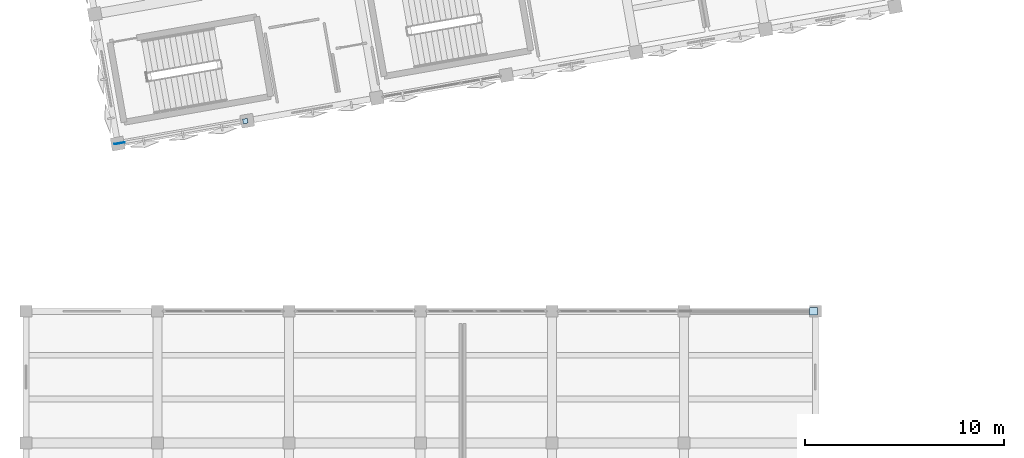
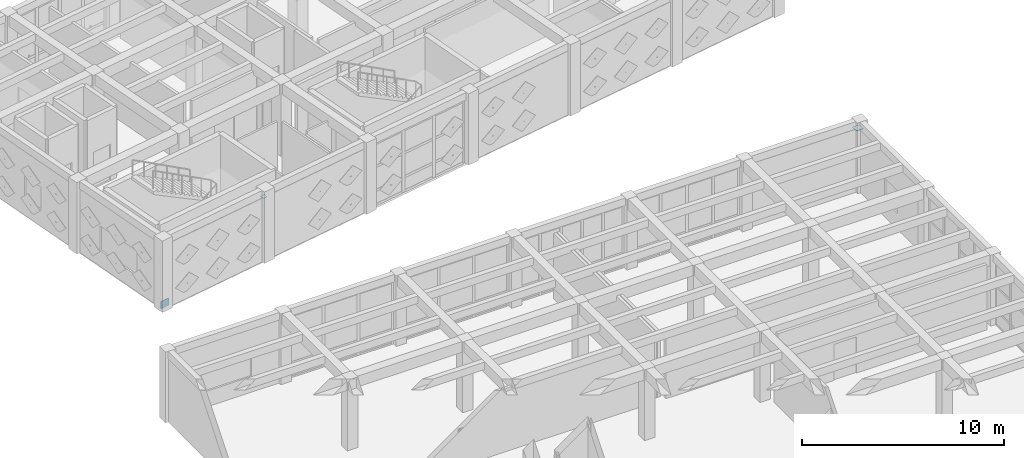
# One storey, part 49 of 67: 3 plates.
"""IFC4 building model written with IfcOpenShell, lengths in metres."""

from ifc_helpers import new_model, si_unit, direction, frame, origin, origin_2d, place, context, subcontext, project, spatial, rectangle, extrude, material, layer, layer_set, type_object, element, save


model = new_model("IFC4")

# Units and contexts
model_context = context("Model", 3, precision=1e-05, world=origin(), true_north=direction((0.0, 1.0)))
body_context = subcontext(model_context, "Body", "Model", "MODEL_VIEW")
ifc_project = project(units=[si_unit("LENGTHUNIT", "METRE"), si_unit("AREAUNIT", "SQUARE_METRE"), si_unit("VOLUMEUNIT", "CUBIC_METRE"), si_unit("PLANEANGLEUNIT", "RADIAN"), si_unit("MASSUNIT", "GRAM", prefix="KILO")], contexts=[model_context])

# Site, building, storey
site_placement = place(None, origin())
site = spatial("IfcSite", under=ifc_project, at=site_placement, CompositionType="ELEMENT")
building_placement = place(site_placement, origin())
building = spatial("IfcBuilding", under=site, at=building_placement, Name="Kharisveld Research Institute", CompositionType="ELEMENT")
storey_placement = place(building_placement, frame((0.0, 0.0, 9.60009765625)))
storey = spatial("IfcBuildingStorey", under=building, at=storey_placement, Name="L02", CompositionType="ELEMENT", Elevation=9.60009765625)

# Plates
ifc_material_1 = material(Name="Steel S355JR", Category="steel")
ifc_layer_1 = layer(ifc_material_1, 0.02587890625)
ifc_layer_set_1 = layer_set([ifc_layer_1], Name="PL_CAP_D")
plate_type_1 = type_object("IfcPlateType", Name="PL_CAP_D", PredefinedType="SHEET", material=ifc_layer_set_1)
plate_1_placement = place(storey_placement, frame((11.601318359375, 36.138671875, 3.757080078125), z_axis=(0.0, 0.0, 1.0), x_axis=(0.984807753012, 0.173648177667, 0.0)))
element("IfcPlate", 1, at=plate_1_placement, inside=storey, type_object=plate_type_1, Name="PLT:V1:L02:CAP_0_0", PredefinedType="SHEET", context=body_context, shape_type="SweptSolid", body=[
    extrude(rectangle(XDim=0.239990234375, YDim=0.239990234375, at=origin_2d()), origin(), (0.0, 0.0, 1.0), 0.02587890625),
])
ifc_material_2 = material(Name="Steel S355JR", Category="steel")
ifc_layer_2 = layer(ifc_material_2, 0.030029296875)
ifc_layer_set_2 = layer_set([ifc_layer_2], Name="PL_CAP_E")
plate_type_2 = type_object("IfcPlateType", Name="PL_CAP_E", PredefinedType="SHEET", material=ifc_layer_set_2)
plate_2_placement = place(storey_placement, frame((40.10009765625, 26.60009765625, 3.71484375), z_axis=(0.0, 0.0, 1.0), x_axis=(1.0, 0.0, 0.0)))
element("IfcPlate", 2, at=plate_2_placement, inside=storey, type_object=plate_type_2, Name="PLT:V3:L02:CAP_5_4", PredefinedType="SHEET", context=body_context, shape_type="SweptSolid", body=[
    extrude(rectangle(XDim=0.39990234375, YDim=0.39990234375, at=origin_2d()), origin(), (0.0, 0.0, 1.0), 0.030029296875),
])
ifc_material_3 = material(Name="Steel S355JR", Category="steel")
ifc_layer_3 = layer(ifc_material_3, 0.028076171875)
ifc_layer_set_3 = layer_set([ifc_layer_3], Name="PL_GUS_D")
plate_type_3 = type_object("IfcPlateType", Name="PL_GUS_D", PredefinedType="USERDEFINED", material=ifc_layer_set_3)
plate_3_placement = place(storey_placement, frame((5.298583984375, 35.02734375, -0.02001953125), z_axis=(0.0, 0.0, 1.0), x_axis=(0.984807753012, 0.173648177667, 0.0)))
element("IfcPlate", 3, at=plate_3_placement, inside=storey, type_object=plate_type_3, Name="PLT:V1:L02:GUS_0_0", ObjectType="GUSSET PLATE", PredefinedType="USERDEFINED", context=body_context, shape_type="SweptSolid", body=[
    extrude(rectangle(XDim=0.52001953125, YDim=0.028076171875, at=origin_2d()), origin(), (0.0, 0.0, 1.0), 0.43994140625),
])

save(model, "model.ifc")
